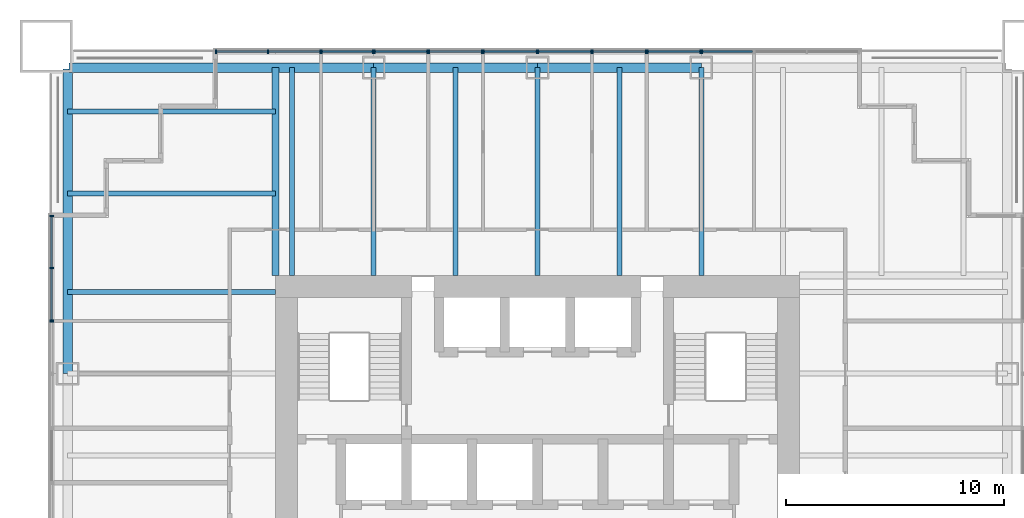
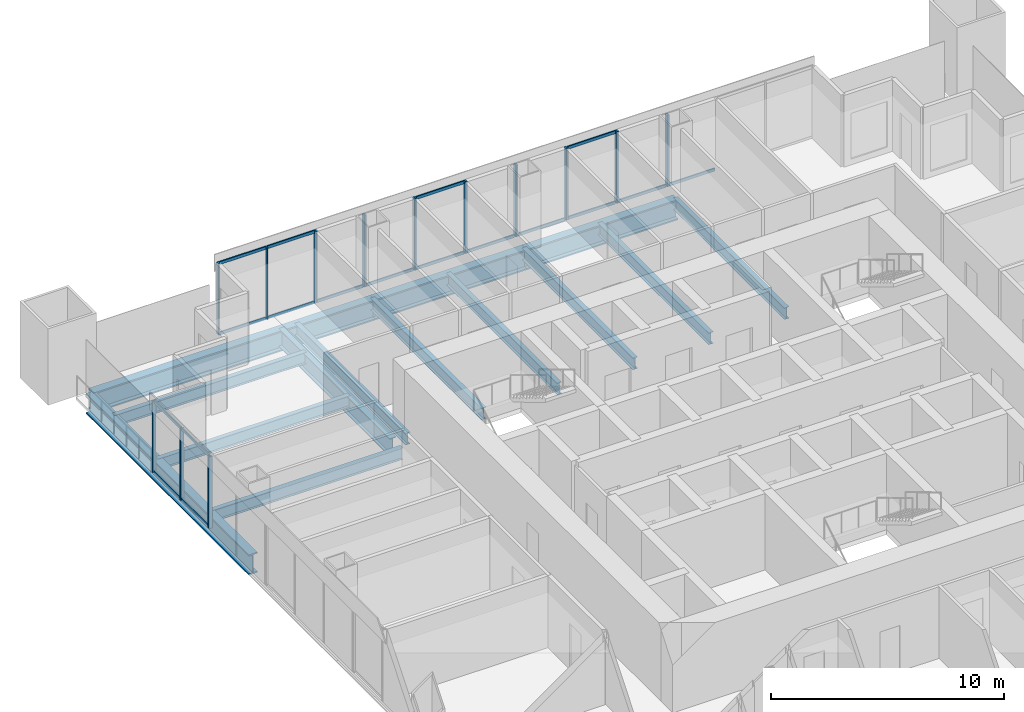
# One storey, part 5 of 14: 40 members, 14 beams, 11 elements without a shape of their own.
"""IFC4 building model written with IfcOpenShell, lengths in metres."""

from ifc_helpers import new_model, si_unit, direction, frame, origin, origin_2d, place, context, subcontext, project, spatial, rectangle, i_section, extrude, material, material_profile, profile_set, type_object, element, aggregate, save


model = new_model("IFC4")

# Units and contexts
model_context = context("Model", 3, precision=1e-05, world=origin(), true_north=direction((0.0, 1.0)))
body_context = subcontext(model_context, "Body", "Model", "MODEL_VIEW")
ifc_project = project(units=[si_unit("LENGTHUNIT", "METRE"), si_unit("AREAUNIT", "SQUARE_METRE"), si_unit("VOLUMEUNIT", "CUBIC_METRE"), si_unit("PLANEANGLEUNIT", "RADIAN"), si_unit("MASSUNIT", "GRAM", prefix="KILO")], contexts=[model_context])

# Site, building, storey
site_placement = place(None, origin())
site = spatial("IfcSite", under=ifc_project, at=site_placement, CompositionType="ELEMENT")
building_placement = place(site_placement, origin())
building = spatial("IfcBuilding", under=site, at=building_placement, Name="Tarangal Relay Tower", CompositionType="ELEMENT")
storey_placement = place(building_placement, frame((0.0, 0.0, 249.89990234375)))
storey = spatial("IfcBuildingStorey", under=building, at=storey_placement, Name="L54", CompositionType="ELEMENT", Elevation=249.89990234375)

# Beams
ifc_material_1 = material(Name="Steel ASTM A992", Category="steel")
ifc_material_profile_1 = material_profile(ifc_material_1, i_section(OverallWidth=0.227783203125, OverallDepth=0.60205078125, WebThickness=0.010498046875, FlangeThickness=0.014892578125, at=origin_2d()), Name="W24X68")
ifc_profile_set_1 = profile_set([ifc_material_profile_1], Name="Steel ASTM A992")
beam_type_1 = type_object("IfcBeamType", Name="Corner beam W24X68", PredefinedType="JOIST", material=ifc_profile_set_1)
for number, where, z_axis, x_axis, name in (
    (1, (-12.0, 15.75, -0.450927734375), (-1.0, 0.0, 0.0), (0.0, -1.0, 0.0), "Corner beam CB11 W L54"),
    (2, (-12.0, 19.5, -0.450927734375), (-1.0, 0.0, 0.0), (0.0, -1.0, 0.0), "Corner beam CB11 W L54"),
):
    element("IfcBeam", number, at=place(storey_placement, frame(where, z_axis=z_axis, x_axis=x_axis)), inside=storey, type_object=beam_type_1, Name=name, PredefinedType="JOIST", context=body_context, shape_type="SweptSolid", body=[
        extrude(i_section(OverallWidth=0.227783203125, OverallDepth=0.60205078125, WebThickness=0.010498046875, FlangeThickness=0.014892578125, at=origin_2d()), origin(), (0.0, 0.0, 1.0), 9.514892578125),
    ])
ifc_material_profile_2 = material_profile(ifc_material_1, i_section(OverallWidth=0.307373046875, OverallDepth=0.9423828125, WebThickness=0.022216796875, FlangeThickness=0.039794921875, at=origin_2d()), Name="W36X232")
ifc_profile_set_2 = profile_set([ifc_material_profile_2], Name="Steel ASTM A992")
beam_type_2 = type_object("IfcBeamType", Name="Corner girder W36X232", PredefinedType="BEAM", material=ifc_profile_set_2)
beam_1_placement = place(storey_placement, frame((-12.0, 12.0, -0.62109375), z_axis=(0.0, 1.0, 0.0), x_axis=(-1.0, 0.0, 0.0)))
element("IfcBeam", 3, at=beam_1_placement, inside=storey, type_object=beam_type_2, Name="Corner girder CG4 W L54", PredefinedType="BEAM", context=body_context, shape_type="SweptSolid", body=[
    extrude(i_section(OverallWidth=0.307373046875, OverallDepth=0.9423828125, WebThickness=0.022216796875, FlangeThickness=0.039794921875, at=origin_2d()), origin(), (0.0, 0.0, 1.0), 9.514892578125),
])
ifc_material_profile_3 = material_profile(ifc_material_1, i_section(OverallWidth=0.41650390625, OverallDepth=1.0693359375, WebThickness=0.0390625, FlangeThickness=0.070068359375, at=origin_2d()), Name="W40X503")
ifc_profile_set_3 = profile_set([ifc_material_profile_3], Name="Steel ASTM A992")
beam_type_3 = type_object("IfcBeamType", Name="Edge girder W40X503", PredefinedType="SPANDREL", material=ifc_profile_set_3)
beam_2_placement = place(storey_placement, frame((-21.449951171875, 21.514892578125, -0.6845703125), z_axis=(1.0, 0.0, 0.0), x_axis=(0.0, 1.0, 0.0)))
element("IfcBeam", 4, at=beam_2_placement, inside=storey, type_object=beam_type_3, Name="Edge girder EG8 N L54", PredefinedType="SPANDREL", context=body_context, shape_type="SweptSolid", body=[
    extrude(i_section(OverallWidth=0.41650390625, OverallDepth=1.0693359375, WebThickness=0.0390625, FlangeThickness=0.070068359375, at=origin_2d()), origin(), (0.0, 0.0, 1.0), 13.949951171875),
])
for number, where, z_axis, x_axis, name in (
    (5, (-7.5, 21.514892578125, -0.6845703125), (1.0, 0.0, 0.0), (0.0, 1.0, 0.0), "Edge girder EG8 N L54"),
    (6, (0.0, 21.514892578125, -0.6845703125), (1.0, 0.0, 0.0), (0.0, 1.0, 0.0), "Edge girder EG8 N L54"),
):
    element("IfcBeam", number, at=place(storey_placement, frame(where, z_axis=z_axis, x_axis=x_axis)), inside=storey, type_object=beam_type_3, Name=name, PredefinedType="SPANDREL", context=body_context, shape_type="SweptSolid", body=[
        extrude(i_section(OverallWidth=0.41650390625, OverallDepth=1.0693359375, WebThickness=0.0390625, FlangeThickness=0.070068359375, at=origin_2d()), origin(), (0.0, 0.0, 1.0), 7.5),
    ])
beam_3_placement = place(storey_placement, frame((-21.514892578125, 7.5, -0.6845703125), z_axis=(0.0, 1.0, 0.0), x_axis=(-1.0, 0.0, 0.0)))
element("IfcBeam", 7, at=beam_3_placement, inside=storey, type_object=beam_type_3, Name="Edge girder EG8 W L54", PredefinedType="SPANDREL", context=body_context, shape_type="SweptSolid", body=[
    extrude(i_section(OverallWidth=0.41650390625, OverallDepth=1.0693359375, WebThickness=0.0390625, FlangeThickness=0.070068359375, at=origin_2d()), origin(), (0.0, 0.0, 1.0), 13.949951171875),
])
ifc_material_profile_4 = material_profile(ifc_material_1, i_section(OverallWidth=0.22900390625, OverallDepth=0.612060546875, WebThickness=0.011962890625, FlangeThickness=0.01953125, at=origin_2d()), Name="W24X84")
ifc_profile_set_4 = profile_set([ifc_material_profile_4], Name="Steel ASTM A992")
beam_type_4 = type_object("IfcBeamType", Name="Floor beam W24X84", PredefinedType="BEAM", material=ifc_profile_set_4)
for number, where, z_axis, x_axis, name in (
    (8, (-11.25, 12.0, -0.455810546875), (0.0, 1.0, 0.0), (-1.0, 0.0, 0.0), "Floor beam RB12 N L54"),
    (9, (-7.5, 12.0, -0.455810546875), (0.0, 1.0, 0.0), (-1.0, 0.0, 0.0), "Floor beam RB12 N L54"),
    (10, (-3.75, 12.0, -0.455810546875), (0.0, 1.0, 0.0), (-1.0, 0.0, 0.0), "Floor beam RB12 N L54"),
    (11, (0.0, 12.0, -0.455810546875), (0.0, 1.0, 0.0), (-1.0, 0.0, 0.0), "Floor beam RB12 N L54"),
    (12, (3.75, 12.0, -0.455810546875), (0.0, 1.0, 0.0), (-1.0, 0.0, 0.0), "Floor beam RB12 N L54"),
    (13, (7.5, 12.0, -0.455810546875), (0.0, 1.0, 0.0), (-1.0, 0.0, 0.0), "Floor beam RB12 N L54"),
    (14, (-12.0, 11.25, -0.455810546875), (-1.0, 0.0, 0.0), (0.0, -1.0, 0.0), "Floor beam RB12 W L54"),
):
    element("IfcBeam", number, at=place(storey_placement, frame(where, z_axis=z_axis, x_axis=x_axis)), inside=storey, type_object=beam_type_4, Name=name, PredefinedType="BEAM", context=body_context, shape_type="SweptSolid", body=[
        extrude(i_section(OverallWidth=0.22900390625, OverallDepth=0.612060546875, WebThickness=0.011962890625, FlangeThickness=0.01953125, at=origin_2d()), origin(), (0.0, 0.0, 1.0), 9.514892578125),
    ])

# Curtain wall, members
ifc_material_2 = material(Name="Unitised curtain wall, dark glass and black aluminium", Category="aluminium")
curtain_wall_type_1 = type_object("IfcCurtainWallType", Name="Curtain wall CW-A", PredefinedType="USERDEFINED", material=ifc_material_2)
curtain_wall_1_placement = place(storey_placement, origin())
curtain_wall_1 = element("IfcCurtainWall", 15, at=curtain_wall_1_placement, inside=storey, type_object=curtain_wall_type_1, Name="Curtain wall CW-A N facade L54", ObjectType="UNITISED CURTAIN WALL", PredefinedType="USERDEFINED")
ifc_material_3 = material(Name="Black anodised aluminium mullion", Category="aluminium")
ifc_material_profile_5 = material_profile(ifc_material_3, rectangle(XDim=0.175048828125, YDim=0.06494140625, at=origin_2d()), Name="CW-AM 65X175")
ifc_profile_set_5 = profile_set([ifc_material_profile_5], Name="Black anodised aluminium mullion")
member_type_1 = type_object("IfcMemberType", Name="Mullion CW-A 65 x 175", PredefinedType="MULLION", material=ifc_profile_set_5)
member_1_placement = place(storey_placement, frame((-14.717529296875, 22.25, 0.0), z_axis=(0.0, 0.0, 1.0), x_axis=(0.0, 1.0, 0.0)))
member_1 = element("IfcMember", 16, at=member_1_placement, type_object=member_type_1, Name="CW-A mullion 1", PredefinedType="MULLION", context=body_context, shape_type="SweptSolid", body=[
    extrude(rectangle(XDim=0.175048828125, YDim=0.06494140625, at=origin_2d()), origin(), (0.0, 0.0, 1.0), 3.75),
])
member_2_placement = place(storey_placement, frame((-12.333251953125, 22.25, 0.0), z_axis=(0.0, 0.0, 1.0), x_axis=(0.0, 1.0, 0.0)))
member_2 = element("IfcMember", 17, at=member_2_placement, type_object=member_type_1, Name="CW-A mullion 2", PredefinedType="MULLION", context=body_context, shape_type="SweptSolid", body=[
    extrude(rectangle(XDim=0.175048828125, YDim=0.06494140625, at=origin_2d()), origin(), (0.0, 0.0, 1.0), 3.75),
])
member_3_placement = place(storey_placement, frame((-9.94921875, 22.25, 0.0), z_axis=(0.0, 0.0, 1.0), x_axis=(0.0, 1.0, 0.0)))
member_3 = element("IfcMember", 18, at=member_3_placement, type_object=member_type_1, Name="CW-A mullion 3", PredefinedType="MULLION", context=body_context, shape_type="SweptSolid", body=[
    extrude(rectangle(XDim=0.175048828125, YDim=0.06494140625, at=origin_2d()), origin(), (0.0, 0.0, 1.0), 3.75),
])

curtain_wall_2_placement = place(storey_placement, origin())
curtain_wall_2 = element("IfcCurtainWall", 19, at=curtain_wall_2_placement, inside=storey, type_object=curtain_wall_type_1, Name="Curtain wall CW-A N facade L54", ObjectType="UNITISED CURTAIN WALL", PredefinedType="USERDEFINED")
member_4_placement = place(storey_placement, frame((-4.967529296875, 22.25, 0.0), z_axis=(0.0, 0.0, 1.0), x_axis=(0.0, 1.0, 0.0)))
member_4 = element("IfcMember", 20, at=member_4_placement, type_object=member_type_1, Name="CW-A mullion 1", PredefinedType="MULLION", context=body_context, shape_type="SweptSolid", body=[
    extrude(rectangle(XDim=0.175048828125, YDim=0.06494140625, at=origin_2d()), origin(), (0.0, 0.0, 1.0), 3.75),
])
member_5_placement = place(storey_placement, frame((-2.532470703125, 22.25, 0.0), z_axis=(0.0, 0.0, 1.0), x_axis=(0.0, 1.0, 0.0)))
member_5 = element("IfcMember", 21, at=member_5_placement, type_object=member_type_1, Name="CW-A mullion 2", PredefinedType="MULLION", context=body_context, shape_type="SweptSolid", body=[
    extrude(rectangle(XDim=0.175048828125, YDim=0.06494140625, at=origin_2d()), origin(), (0.0, 0.0, 1.0), 3.75),
])

curtain_wall_3_placement = place(storey_placement, origin())
curtain_wall_3 = element("IfcCurtainWall", 22, at=curtain_wall_3_placement, inside=storey, type_object=curtain_wall_type_1, Name="Curtain wall CW-A N facade L54", ObjectType="UNITISED CURTAIN WALL", PredefinedType="USERDEFINED")
member_6_placement = place(storey_placement, frame((2.532470703125, 22.25, 0.0), z_axis=(0.0, 0.0, 1.0), x_axis=(0.0, 1.0, 0.0)))
member_6 = element("IfcMember", 23, at=member_6_placement, type_object=member_type_1, Name="CW-A mullion 1", PredefinedType="MULLION", context=body_context, shape_type="SweptSolid", body=[
    extrude(rectangle(XDim=0.175048828125, YDim=0.06494140625, at=origin_2d()), origin(), (0.0, 0.0, 1.0), 3.75),
])
member_7_placement = place(storey_placement, frame((4.967529296875, 22.25, 0.0), z_axis=(0.0, 0.0, 1.0), x_axis=(0.0, 1.0, 0.0)))
member_7 = element("IfcMember", 24, at=member_7_placement, type_object=member_type_1, Name="CW-A mullion 2", PredefinedType="MULLION", context=body_context, shape_type="SweptSolid", body=[
    extrude(rectangle(XDim=0.175048828125, YDim=0.06494140625, at=origin_2d()), origin(), (0.0, 0.0, 1.0), 3.75),
])

curtain_wall_4_placement = place(storey_placement, origin())
curtain_wall_4 = element("IfcCurtainWall", 25, at=curtain_wall_4_placement, inside=storey, type_object=curtain_wall_type_1, Name="Curtain wall CW-A W facade L54", ObjectType="UNITISED CURTAIN WALL", PredefinedType="USERDEFINED")
member_8_placement = place(storey_placement, frame((-22.25, 9.94921875, 0.0), z_axis=(0.0, 0.0, 1.0), x_axis=(-1.0, 0.0, 0.0)))
member_8 = element("IfcMember", 26, at=member_8_placement, type_object=member_type_1, Name="CW-A mullion 1", PredefinedType="MULLION", context=body_context, shape_type="SweptSolid", body=[
    extrude(rectangle(XDim=0.175048828125, YDim=0.06494140625, at=origin_2d()), origin(), (0.0, 0.0, 1.0), 3.75),
])
member_9_placement = place(storey_placement, frame((-22.25, 12.333251953125, 0.0), z_axis=(0.0, 0.0, 1.0), x_axis=(-1.0, 0.0, 0.0)))
member_9 = element("IfcMember", 27, at=member_9_placement, type_object=member_type_1, Name="CW-A mullion 2", PredefinedType="MULLION", context=body_context, shape_type="SweptSolid", body=[
    extrude(rectangle(XDim=0.175048828125, YDim=0.06494140625, at=origin_2d()), origin(), (0.0, 0.0, 1.0), 3.75),
])
member_10_placement = place(storey_placement, frame((-22.25, 14.717529296875, 0.0), z_axis=(0.0, 0.0, 1.0), x_axis=(-1.0, 0.0, 0.0)))
member_10 = element("IfcMember", 28, at=member_10_placement, type_object=member_type_1, Name="CW-A mullion 3", PredefinedType="MULLION", context=body_context, shape_type="SweptSolid", body=[
    extrude(rectangle(XDim=0.175048828125, YDim=0.06494140625, at=origin_2d()), origin(), (0.0, 0.0, 1.0), 3.75),
])

ifc_material_4 = material(Name="Unitised curtain wall frame, black aluminium, with metal clad infill walls", Category="aluminium")
curtain_wall_type_2 = type_object("IfcCurtainWallType", Name="Curtain wall CW-AO", PredefinedType="USERDEFINED", material=ifc_material_4)
curtain_wall_5_placement = place(storey_placement, origin())
curtain_wall_5 = element("IfcCurtainWall", 29, at=curtain_wall_5_placement, inside=storey, type_object=curtain_wall_type_2, Name="Curtain wall CW-AO N facade L54", ObjectType="UNITISED CURTAIN WALL", PredefinedType="USERDEFINED")
ifc_material_profile_6 = material_profile(ifc_material_3, rectangle(XDim=0.175048828125, YDim=0.06494140625, at=origin_2d()), Name="CW-AOM 65X175")
ifc_profile_set_6 = profile_set([ifc_material_profile_6], Name="Black anodised aluminium mullion")
member_type_2 = type_object("IfcMemberType", Name="Mullion CW-AO 65 x 175", PredefinedType="MULLION", material=ifc_profile_set_6)
member_11_placement = place(storey_placement, frame((-9.88427734375, 22.25, 0.0), z_axis=(0.0, 0.0, 1.0), x_axis=(0.0, 1.0, 0.0)))
member_11 = element("IfcMember", 30, at=member_11_placement, type_object=member_type_2, Name="CW-AO mullion 1", PredefinedType="MULLION", context=body_context, shape_type="SweptSolid", body=[
    extrude(rectangle(XDim=0.175048828125, YDim=0.06494140625, at=origin_2d()), origin(), (0.0, 0.0, 1.0), 3.75),
])
member_12_placement = place(storey_placement, frame((-7.532470703125, 22.25, 0.0), z_axis=(0.0, 0.0, 1.0), x_axis=(0.0, 1.0, 0.0)))
member_12 = element("IfcMember", 31, at=member_12_placement, type_object=member_type_2, Name="CW-AO mullion 2", PredefinedType="MULLION", context=body_context, shape_type="SweptSolid", body=[
    extrude(rectangle(XDim=0.175048828125, YDim=0.06494140625, at=origin_2d()), origin(), (0.0, 0.0, 1.0), 3.75),
])

curtain_wall_6_placement = place(storey_placement, origin())
curtain_wall_6 = element("IfcCurtainWall", 32, at=curtain_wall_6_placement, inside=storey, type_object=curtain_wall_type_2, Name="Curtain wall CW-AO N facade L54", ObjectType="UNITISED CURTAIN WALL", PredefinedType="USERDEFINED")
member_13_placement = place(storey_placement, frame((-7.467529296875, 22.25, 0.0), z_axis=(0.0, 0.0, 1.0), x_axis=(0.0, 1.0, 0.0)))
member_13 = element("IfcMember", 33, at=member_13_placement, type_object=member_type_2, Name="CW-AO mullion 1", PredefinedType="MULLION", context=body_context, shape_type="SweptSolid", body=[
    extrude(rectangle(XDim=0.175048828125, YDim=0.06494140625, at=origin_2d()), origin(), (0.0, 0.0, 1.0), 3.75),
])
member_14_placement = place(storey_placement, frame((-5.032470703125, 22.25, 0.0), z_axis=(0.0, 0.0, 1.0), x_axis=(0.0, 1.0, 0.0)))
member_14 = element("IfcMember", 34, at=member_14_placement, type_object=member_type_2, Name="CW-AO mullion 2", PredefinedType="MULLION", context=body_context, shape_type="SweptSolid", body=[
    extrude(rectangle(XDim=0.175048828125, YDim=0.06494140625, at=origin_2d()), origin(), (0.0, 0.0, 1.0), 3.75),
])

curtain_wall_7_placement = place(storey_placement, origin())
curtain_wall_7 = element("IfcCurtainWall", 35, at=curtain_wall_7_placement, inside=storey, type_object=curtain_wall_type_2, Name="Curtain wall CW-AO N facade L54", ObjectType="UNITISED CURTAIN WALL", PredefinedType="USERDEFINED")
member_15_placement = place(storey_placement, frame((-2.467529296875, 22.25, 0.0), z_axis=(0.0, 0.0, 1.0), x_axis=(0.0, 1.0, 0.0)))
member_15 = element("IfcMember", 36, at=member_15_placement, type_object=member_type_2, Name="CW-AO mullion 1", PredefinedType="MULLION", context=body_context, shape_type="SweptSolid", body=[
    extrude(rectangle(XDim=0.175048828125, YDim=0.06494140625, at=origin_2d()), origin(), (0.0, 0.0, 1.0), 3.75),
])
member_16_placement = place(storey_placement, frame((-0.032470703125, 22.25, 0.0), z_axis=(0.0, 0.0, 1.0), x_axis=(0.0, 1.0, 0.0)))
member_16 = element("IfcMember", 37, at=member_16_placement, type_object=member_type_2, Name="CW-AO mullion 2", PredefinedType="MULLION", context=body_context, shape_type="SweptSolid", body=[
    extrude(rectangle(XDim=0.175048828125, YDim=0.06494140625, at=origin_2d()), origin(), (0.0, 0.0, 1.0), 3.75),
])

curtain_wall_8_placement = place(storey_placement, origin())
curtain_wall_8 = element("IfcCurtainWall", 38, at=curtain_wall_8_placement, inside=storey, type_object=curtain_wall_type_2, Name="Curtain wall CW-AO N facade L54", ObjectType="UNITISED CURTAIN WALL", PredefinedType="USERDEFINED")
member_17_placement = place(storey_placement, frame((0.032470703125, 22.25, 0.0), z_axis=(0.0, 0.0, 1.0), x_axis=(0.0, 1.0, 0.0)))
member_17 = element("IfcMember", 39, at=member_17_placement, type_object=member_type_2, Name="CW-AO mullion 1", PredefinedType="MULLION", context=body_context, shape_type="SweptSolid", body=[
    extrude(rectangle(XDim=0.175048828125, YDim=0.06494140625, at=origin_2d()), origin(), (0.0, 0.0, 1.0), 3.75),
])
member_18_placement = place(storey_placement, frame((2.467529296875, 22.25, 0.0), z_axis=(0.0, 0.0, 1.0), x_axis=(0.0, 1.0, 0.0)))
member_18 = element("IfcMember", 40, at=member_18_placement, type_object=member_type_2, Name="CW-AO mullion 2", PredefinedType="MULLION", context=body_context, shape_type="SweptSolid", body=[
    extrude(rectangle(XDim=0.175048828125, YDim=0.06494140625, at=origin_2d()), origin(), (0.0, 0.0, 1.0), 3.75),
])

curtain_wall_9_placement = place(storey_placement, origin())
curtain_wall_9 = element("IfcCurtainWall", 41, at=curtain_wall_9_placement, inside=storey, type_object=curtain_wall_type_2, Name="Curtain wall CW-AO N facade L54", ObjectType="UNITISED CURTAIN WALL", PredefinedType="USERDEFINED")
member_19_placement = place(storey_placement, frame((5.032470703125, 22.25, 0.0), z_axis=(0.0, 0.0, 1.0), x_axis=(0.0, 1.0, 0.0)))
member_19 = element("IfcMember", 42, at=member_19_placement, type_object=member_type_2, Name="CW-AO mullion 1", PredefinedType="MULLION", context=body_context, shape_type="SweptSolid", body=[
    extrude(rectangle(XDim=0.175048828125, YDim=0.06494140625, at=origin_2d()), origin(), (0.0, 0.0, 1.0), 3.75),
])
member_20_placement = place(storey_placement, frame((7.467529296875, 22.25, 0.0), z_axis=(0.0, 0.0, 1.0), x_axis=(0.0, 1.0, 0.0)))
member_20 = element("IfcMember", 43, at=member_20_placement, type_object=member_type_2, Name="CW-AO mullion 2", PredefinedType="MULLION", context=body_context, shape_type="SweptSolid", body=[
    extrude(rectangle(XDim=0.175048828125, YDim=0.06494140625, at=origin_2d()), origin(), (0.0, 0.0, 1.0), 3.75),
])

# Curtain wall, member
curtain_wall_10_placement = place(storey_placement, origin())
curtain_wall_10 = element("IfcCurtainWall", 44, at=curtain_wall_10_placement, inside=storey, type_object=curtain_wall_type_2, Name="Curtain wall CW-AO N facade L54", ObjectType="UNITISED CURTAIN WALL", PredefinedType="USERDEFINED")
member_21_placement = place(storey_placement, frame((7.532470703125, 22.25, 0.0), z_axis=(0.0, 0.0, 1.0), x_axis=(0.0, 1.0, 0.0)))
member_21 = element("IfcMember", 45, at=member_21_placement, type_object=member_type_2, Name="CW-AO mullion 1", PredefinedType="MULLION", context=body_context, shape_type="SweptSolid", body=[
    extrude(rectangle(XDim=0.175048828125, YDim=0.06494140625, at=origin_2d()), origin(), (0.0, 0.0, 1.0), 3.75),
])

curtain_wall_11_placement = place(storey_placement, origin())
curtain_wall_11 = element("IfcCurtainWall", 46, at=curtain_wall_11_placement, inside=storey, type_object=curtain_wall_type_2, Name="Curtain wall CW-AO W facade L54", ObjectType="UNITISED CURTAIN WALL", PredefinedType="USERDEFINED")
member_22_placement = place(storey_placement, frame((-22.25, 9.88427734375, 0.0), z_axis=(0.0, 0.0, 1.0), x_axis=(-1.0, 0.0, 0.0)))
member_22 = element("IfcMember", 47, at=member_22_placement, type_object=member_type_2, Name="CW-AO mullion 2", PredefinedType="MULLION", context=body_context, shape_type="SweptSolid", body=[
    extrude(rectangle(XDim=0.175048828125, YDim=0.06494140625, at=origin_2d()), origin(), (0.0, 0.0, 1.0), 3.75),
])
aggregate(curtain_wall_11, [member_22])

# Member
ifc_material_5 = material(Name="Black anodised aluminium transom", Category="aluminium")
ifc_material_profile_7 = material_profile(ifc_material_5, rectangle(XDim=0.06494140625, YDim=0.14990234375, at=origin_2d()), Name="CW-AT 65X150")
ifc_profile_set_7 = profile_set([ifc_material_profile_7], Name="Black anodised aluminium transom")
member_type_3 = type_object("IfcMemberType", Name="Transom CW-A 65 x 150", PredefinedType="USERDEFINED", material=ifc_profile_set_7)
member_23_placement = place(storey_placement, frame((-14.68505859375, 22.25, 0.03271484375), z_axis=(1.0, 0.0, 0.0), x_axis=(0.0, 1.0, 0.0)))
member_23 = element("IfcMember", 48, at=member_23_placement, type_object=member_type_3, Name="CW-A transom 1.1", ObjectType="TRANSOM", PredefinedType="USERDEFINED", context=body_context, shape_type="SweptSolid", body=[
    extrude(rectangle(XDim=0.06494140625, YDim=0.14990234375, at=origin_2d()), origin(), (0.0, 0.0, 1.0), 2.319091796875),
])

member_24_placement = place(storey_placement, frame((-14.68505859375, 22.25, 3.717529296875), z_axis=(1.0, 0.0, 0.0), x_axis=(0.0, 1.0, 0.0)))
member_24 = element("IfcMember", 49, at=member_24_placement, type_object=member_type_3, Name="CW-A transom 1.2", ObjectType="TRANSOM", PredefinedType="USERDEFINED", context=body_context, shape_type="SweptSolid", body=[
    extrude(rectangle(XDim=0.06494140625, YDim=0.14990234375, at=origin_2d()), origin(), (0.0, 0.0, 1.0), 2.319091796875),
])

member_25_placement = place(storey_placement, frame((-12.30078125, 22.25, 0.03271484375), z_axis=(1.0, 0.0, 0.0), x_axis=(0.0, 1.0, 0.0)))
member_25 = element("IfcMember", 50, at=member_25_placement, type_object=member_type_3, Name="CW-A transom 2.1", ObjectType="TRANSOM", PredefinedType="USERDEFINED", context=body_context, shape_type="SweptSolid", body=[
    extrude(rectangle(XDim=0.06494140625, YDim=0.14990234375, at=origin_2d()), origin(), (0.0, 0.0, 1.0), 2.319091796875),
])

member_26_placement = place(storey_placement, frame((-12.30078125, 22.25, 3.717529296875), z_axis=(1.0, 0.0, 0.0), x_axis=(0.0, 1.0, 0.0)))
member_26 = element("IfcMember", 51, at=member_26_placement, type_object=member_type_3, Name="CW-A transom 2.2", ObjectType="TRANSOM", PredefinedType="USERDEFINED", context=body_context, shape_type="SweptSolid", body=[
    extrude(rectangle(XDim=0.06494140625, YDim=0.14990234375, at=origin_2d()), origin(), (0.0, 0.0, 1.0), 2.319091796875),
])

aggregate(curtain_wall_1, [member_1, member_2, member_3, member_23, member_24, member_25, member_26])

member_27_placement = place(storey_placement, frame((-4.93505859375, 22.25, 0.03271484375), z_axis=(1.0, 0.0, 0.0), x_axis=(0.0, 1.0, 0.0)))
member_27 = element("IfcMember", 52, at=member_27_placement, type_object=member_type_3, Name="CW-A transom 1.1", ObjectType="TRANSOM", PredefinedType="USERDEFINED", context=body_context, shape_type="SweptSolid", body=[
    extrude(rectangle(XDim=0.06494140625, YDim=0.14990234375, at=origin_2d()), origin(), (0.0, 0.0, 1.0), 2.3701171875),
])

member_28_placement = place(storey_placement, frame((-4.93505859375, 22.25, 3.717529296875), z_axis=(1.0, 0.0, 0.0), x_axis=(0.0, 1.0, 0.0)))
member_28 = element("IfcMember", 53, at=member_28_placement, type_object=member_type_3, Name="CW-A transom 1.2", ObjectType="TRANSOM", PredefinedType="USERDEFINED", context=body_context, shape_type="SweptSolid", body=[
    extrude(rectangle(XDim=0.06494140625, YDim=0.14990234375, at=origin_2d()), origin(), (0.0, 0.0, 1.0), 2.3701171875),
])

aggregate(curtain_wall_2, [member_4, member_5, member_27, member_28])

member_29_placement = place(storey_placement, frame((2.56494140625, 22.25, 0.03271484375), z_axis=(1.0, 0.0, 0.0), x_axis=(0.0, 1.0, 0.0)))
member_29 = element("IfcMember", 54, at=member_29_placement, type_object=member_type_3, Name="CW-A transom 1.1", ObjectType="TRANSOM", PredefinedType="USERDEFINED", context=body_context, shape_type="SweptSolid", body=[
    extrude(rectangle(XDim=0.06494140625, YDim=0.14990234375, at=origin_2d()), origin(), (0.0, 0.0, 1.0), 2.3701171875),
])

member_30_placement = place(storey_placement, frame((2.56494140625, 22.25, 3.717529296875), z_axis=(1.0, 0.0, 0.0), x_axis=(0.0, 1.0, 0.0)))
member_30 = element("IfcMember", 55, at=member_30_placement, type_object=member_type_3, Name="CW-A transom 1.2", ObjectType="TRANSOM", PredefinedType="USERDEFINED", context=body_context, shape_type="SweptSolid", body=[
    extrude(rectangle(XDim=0.06494140625, YDim=0.14990234375, at=origin_2d()), origin(), (0.0, 0.0, 1.0), 2.3701171875),
])

aggregate(curtain_wall_3, [member_6, member_7, member_29, member_30])

member_31_placement = place(storey_placement, frame((-22.25, 9.981689453125, 0.03271484375), z_axis=(0.0, 1.0, 0.0), x_axis=(-1.0, 0.0, 0.0)))
member_31 = element("IfcMember", 56, at=member_31_placement, type_object=member_type_3, Name="CW-A transom 1.1", ObjectType="TRANSOM", PredefinedType="USERDEFINED", context=body_context, shape_type="SweptSolid", body=[
    extrude(rectangle(XDim=0.06494140625, YDim=0.14990234375, at=origin_2d()), origin(), (0.0, 0.0, 1.0), 2.319091796875),
])

member_32_placement = place(storey_placement, frame((-22.25, 9.981689453125, 3.717529296875), z_axis=(0.0, 1.0, 0.0), x_axis=(-1.0, 0.0, 0.0)))
member_32 = element("IfcMember", 57, at=member_32_placement, type_object=member_type_3, Name="CW-A transom 1.2", ObjectType="TRANSOM", PredefinedType="USERDEFINED", context=body_context, shape_type="SweptSolid", body=[
    extrude(rectangle(XDim=0.06494140625, YDim=0.14990234375, at=origin_2d()), origin(), (0.0, 0.0, 1.0), 2.319091796875),
])

member_33_placement = place(storey_placement, frame((-22.25, 12.365966796875, 0.03271484375), z_axis=(0.0, 1.0, 0.0), x_axis=(-1.0, 0.0, 0.0)))
member_33 = element("IfcMember", 58, at=member_33_placement, type_object=member_type_3, Name="CW-A transom 2.1", ObjectType="TRANSOM", PredefinedType="USERDEFINED", context=body_context, shape_type="SweptSolid", body=[
    extrude(rectangle(XDim=0.06494140625, YDim=0.14990234375, at=origin_2d()), origin(), (0.0, 0.0, 1.0), 2.319091796875),
])

member_34_placement = place(storey_placement, frame((-22.25, 12.365966796875, 3.717529296875), z_axis=(0.0, 1.0, 0.0), x_axis=(-1.0, 0.0, 0.0)))
member_34 = element("IfcMember", 59, at=member_34_placement, type_object=member_type_3, Name="CW-A transom 2.2", ObjectType="TRANSOM", PredefinedType="USERDEFINED", context=body_context, shape_type="SweptSolid", body=[
    extrude(rectangle(XDim=0.06494140625, YDim=0.14990234375, at=origin_2d()), origin(), (0.0, 0.0, 1.0), 2.319091796875),
])

aggregate(curtain_wall_4, [member_8, member_9, member_10, member_31, member_32, member_33, member_34])

ifc_material_profile_8 = material_profile(ifc_material_5, rectangle(XDim=0.06494140625, YDim=0.14990234375, at=origin_2d()), Name="CW-AOT 65X150")
ifc_profile_set_8 = profile_set([ifc_material_profile_8], Name="Black anodised aluminium transom")
member_type_4 = type_object("IfcMemberType", Name="Transom CW-AO 65 x 150", PredefinedType="USERDEFINED", material=ifc_profile_set_8)
member_35_placement = place(storey_placement, frame((-9.851806640625, 22.25, 0.03271484375), z_axis=(1.0, 0.0, 0.0), x_axis=(0.0, 1.0, 0.0)))
member_35 = element("IfcMember", 60, at=member_35_placement, type_object=member_type_4, Name="CW-AO transom 1.1", ObjectType="TRANSOM", PredefinedType="USERDEFINED", context=body_context, shape_type="SweptSolid", body=[
    extrude(rectangle(XDim=0.06494140625, YDim=0.14990234375, at=origin_2d()), origin(), (0.0, 0.0, 1.0), 2.286865234375),
])

aggregate(curtain_wall_5, [member_11, member_12, member_35])

member_36_placement = place(storey_placement, frame((-7.43505859375, 22.25, 0.03271484375), z_axis=(1.0, 0.0, 0.0), x_axis=(0.0, 1.0, 0.0)))
member_36 = element("IfcMember", 61, at=member_36_placement, type_object=member_type_4, Name="CW-AO transom 1.1", ObjectType="TRANSOM", PredefinedType="USERDEFINED", context=body_context, shape_type="SweptSolid", body=[
    extrude(rectangle(XDim=0.06494140625, YDim=0.14990234375, at=origin_2d()), origin(), (0.0, 0.0, 1.0), 2.3701171875),
])

aggregate(curtain_wall_6, [member_13, member_14, member_36])

member_37_placement = place(storey_placement, frame((-2.43505859375, 22.25, 0.03271484375), z_axis=(1.0, 0.0, 0.0), x_axis=(0.0, 1.0, 0.0)))
member_37 = element("IfcMember", 62, at=member_37_placement, type_object=member_type_4, Name="CW-AO transom 1.1", ObjectType="TRANSOM", PredefinedType="USERDEFINED", context=body_context, shape_type="SweptSolid", body=[
    extrude(rectangle(XDim=0.06494140625, YDim=0.14990234375, at=origin_2d()), origin(), (0.0, 0.0, 1.0), 2.3701171875),
])

aggregate(curtain_wall_7, [member_15, member_16, member_37])

member_38_placement = place(storey_placement, frame((0.06494140625, 22.25, 0.03271484375), z_axis=(1.0, 0.0, 0.0), x_axis=(0.0, 1.0, 0.0)))
member_38 = element("IfcMember", 63, at=member_38_placement, type_object=member_type_4, Name="CW-AO transom 1.1", ObjectType="TRANSOM", PredefinedType="USERDEFINED", context=body_context, shape_type="SweptSolid", body=[
    extrude(rectangle(XDim=0.06494140625, YDim=0.14990234375, at=origin_2d()), origin(), (0.0, 0.0, 1.0), 2.3701171875),
])

aggregate(curtain_wall_8, [member_17, member_18, member_38])

member_39_placement = place(storey_placement, frame((5.06494140625, 22.25, 0.03271484375), z_axis=(1.0, 0.0, 0.0), x_axis=(0.0, 1.0, 0.0)))
member_39 = element("IfcMember", 64, at=member_39_placement, type_object=member_type_4, Name="CW-AO transom 1.1", ObjectType="TRANSOM", PredefinedType="USERDEFINED", context=body_context, shape_type="SweptSolid", body=[
    extrude(rectangle(XDim=0.06494140625, YDim=0.14990234375, at=origin_2d()), origin(), (0.0, 0.0, 1.0), 2.3701171875),
])

aggregate(curtain_wall_9, [member_19, member_20, member_39])

member_40_placement = place(storey_placement, frame((7.56494140625, 22.25, 0.03271484375), z_axis=(1.0, 0.0, 0.0), x_axis=(0.0, 1.0, 0.0)))
member_40 = element("IfcMember", 65, at=member_40_placement, type_object=member_type_4, Name="CW-AO transom 1.1", ObjectType="TRANSOM", PredefinedType="USERDEFINED", context=body_context, shape_type="SweptSolid", body=[
    extrude(rectangle(XDim=0.06494140625, YDim=0.14990234375, at=origin_2d()), origin(), (0.0, 0.0, 1.0), 2.286865234375),
])

aggregate(curtain_wall_10, [member_21, member_40])

save(model, "model.ifc")
